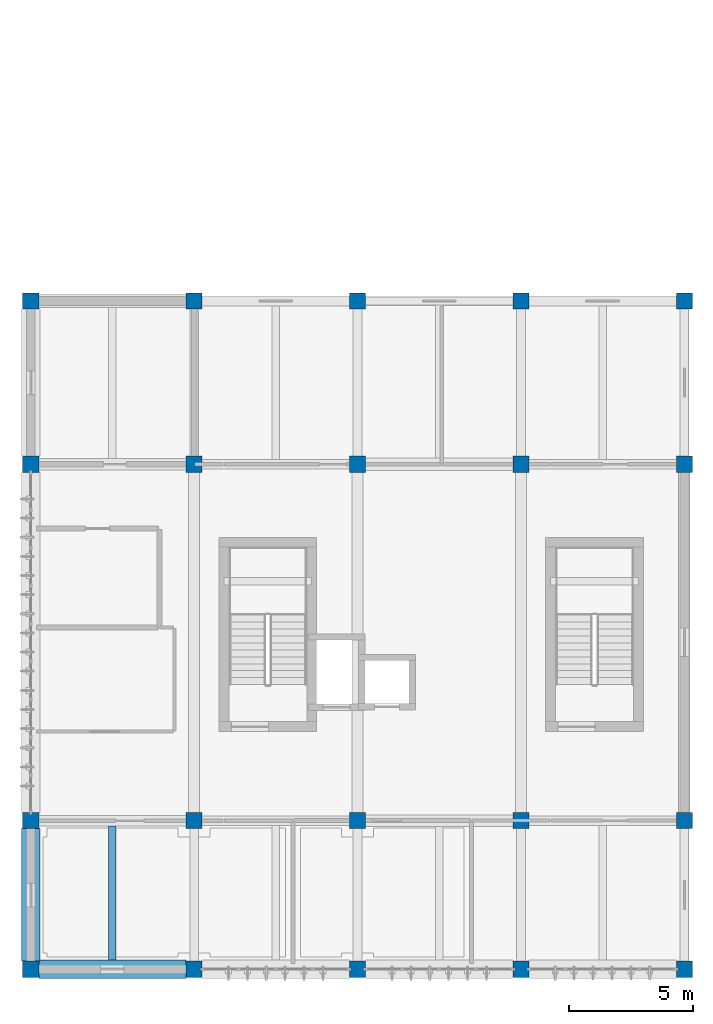
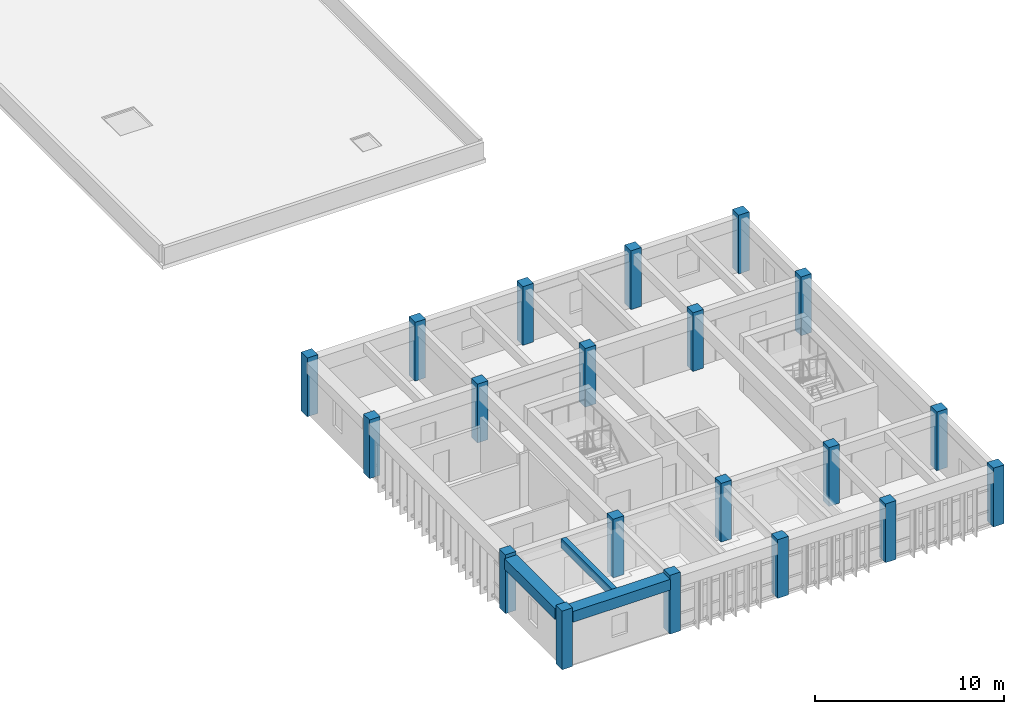
# One storey, part 1 of 9: 20 columns, 3 beams.
"""IFC4 building model written with IfcOpenShell, lengths in metres."""

import ifcopenshell
import ifcopenshell.guid

model = None  # the IFC model being written
_history = None  # IfcOwnerHistory: only IFC2X3 demands one
_inside = {}  # id of a spatial element -> (the spatial element, [elements in it])
_under = {}  # id of a project, library or spatial element -> (it, [spatial elements below it])
_declared = {}  # id of a project -> (the project, [libraries it declares])
_typed = {}  # id of a type object -> (the type object, [elements of that type])
_made_of = {}  # id of a material, layer set ... -> (it, [elements and type objects made of it])


def new_model(schema):
    """Start an empty IFC model of exactly this schema.

    Asked for "IFC4X3", IfcOpenShell would pick the latest addendum, in which some entities
    have other attributes; the version numbers below select the first issue.
    IFC2X3 requires an IfcOwnerHistory on every rooted entity: one is made here for all.
    """
    global model, _history
    if schema == "IFC4X3":
        model = ifcopenshell.file(schema_version=(4, 3, 0, 0))
    else:
        model = ifcopenshell.file(schema=schema)
    _inside.clear()
    _under.clear()
    _declared.clear()
    _typed.clear()
    _made_of.clear()
    _history = None
    if model.schema == "IFC2X3":
        org = make("IfcOrganization", Name="unknown")
        user = make(
            "IfcPersonAndOrganization",
            ThePerson=make("IfcPerson", FamilyName="unknown"),
            TheOrganization=org,
        )
        app = make(
            "IfcApplication",
            ApplicationDeveloper=org,
            Version="unknown",
            ApplicationFullName="unknown",
            ApplicationIdentifier="unknown",
        )
        _history = make(
            "IfcOwnerHistory",
            OwningUser=user,
            OwningApplication=app,
            ChangeAction="ADDED",
            CreationDate=0,
        )
    return model


def make(cls, **values):
    """One entity of the class cls with the attributes given. An attribute that is None is left unset."""
    return model.create_entity(
        cls, **{name: value for name, value in values.items() if value is not None}
    )


def rooted(cls, **values):
    """An entity with a GlobalId (a new one), such as an element, a storey or a relation."""
    return make(cls, GlobalId=ifcopenshell.guid.new(), OwnerHistory=_history, **values)


def si_unit(unit_type, name, prefix=None):
    """IfcSIUnit, for example si_unit("LENGTHUNIT", "METRE", prefix="MILLI")."""
    return make("IfcSIUnit", UnitType=unit_type, Prefix=prefix, Name=name)


def assignment(units):
    """IfcUnitAssignment: the units of a project."""
    return None if units is None else make("IfcUnitAssignment", Units=units)


def point(xyz):
    """IfcCartesianPoint."""
    return None if xyz is None else make("IfcCartesianPoint", Coordinates=xyz)


def direction(xyz):
    """IfcDirection."""
    return None if xyz is None else make("IfcDirection", DirectionRatios=xyz)


def frame(location, z_axis=None, x_axis=None):
    """IfcAxis2Placement3D, a coordinate frame: its origin and axes. An axis left out is left unset."""
    return make(
        "IfcAxis2Placement3D",
        Location=point(location),
        Axis=direction(z_axis),
        RefDirection=direction(x_axis),
    )


def frame_2d(location, x_axis=None):
    """IfcAxis2Placement2D, a coordinate frame in the plane: its origin and x axis."""
    return make(
        "IfcAxis2Placement2D", Location=point(location), RefDirection=direction(x_axis)
    )


def origin():
    """The frame at (0, 0, 0) with its axes left unset."""
    return frame((0.0, 0.0, 0.0))


def origin_2d():
    """The frame at (0, 0) in the plane with its x axis left unset."""
    return frame_2d((0.0, 0.0))


def place(relative_to, where):
    """IfcLocalPlacement: puts the frame where relative to a parent placement (None: the world)."""
    return make(
        "IfcLocalPlacement", PlacementRelTo=relative_to, RelativePlacement=where
    )


def context(
    kind, dimensions, precision=None, world=None, true_north=None, identifier=None
):
    """IfcGeometricRepresentationContext, for example the 3D "Model" context."""
    return make(
        "IfcGeometricRepresentationContext",
        ContextIdentifier=identifier,
        ContextType=kind,
        CoordinateSpaceDimension=dimensions,
        Precision=precision,
        WorldCoordinateSystem=world,
        TrueNorth=true_north,
    )


def subcontext(parent, identifier, kind, view, scale=None):
    """IfcGeometricRepresentationSubContext, for example "Body" below "Model"."""
    return make(
        "IfcGeometricRepresentationSubContext",
        ContextIdentifier=identifier,
        ContextType=kind,
        ParentContext=parent,
        TargetScale=scale,
        TargetView=view,
    )


def project(units=None, contexts=None):
    """IfcProject with its units and contexts."""
    return rooted(
        "IfcProject",
        Name="project",
        RepresentationContexts=contexts,
        UnitsInContext=assignment(units),
    )


def spatial(cls, under=None, at=None, **own):
    """A site, building, storey or space (cls), placed at a placement, below another one or the project."""
    s = rooted(cls, ObjectPlacement=at, **own)
    if under is not None:
        _under.setdefault(under.id(), (under, []))[1].append(s)
    return s


def profile(cls, at=None, kind="AREA", **sizes):
    """A parametric profile (cls). Its sizes go by their IFC names, for example OverallWidth=200.0."""
    return make(cls, ProfileType=kind, Position=at, **sizes)


def rectangle(**sizes):
    """IfcRectangleProfileDef."""
    return profile("IfcRectangleProfileDef", **sizes)


def extrude(swept, where, along, depth):
    """IfcExtrudedAreaSolid: the profile swept, set in the frame where, extruded along a direction by depth."""
    return make(
        "IfcExtrudedAreaSolid",
        SweptArea=swept,
        Position=where,
        ExtrudedDirection=direction(along),
        Depth=depth,
    )


def shape(context_of_items, identifier, shape_type, items):
    """IfcShapeRepresentation: the items that make up one representation, for example the "Body"."""
    return make(
        "IfcShapeRepresentation",
        ContextOfItems=context_of_items,
        RepresentationIdentifier=identifier,
        RepresentationType=shape_type,
        Items=items,
    )


def material(Name=None, Category=None):
    """IfcMaterial."""
    return make("IfcMaterial", Name=Name, Category=Category)


def material_profile(
    of_material, cross_section, Name=None, Category=None, Priority=None
):
    """IfcMaterialProfile: a cross section and its material."""
    return make(
        "IfcMaterialProfile",
        Name=Name,
        Material=of_material,
        Profile=cross_section,
        Priority=Priority,
        Category=Category,
    )


def profile_set(profiles, Name=None, composite=None):
    """IfcMaterialProfileSet."""
    return make(
        "IfcMaterialProfileSet",
        Name=Name,
        MaterialProfiles=profiles,
        CompositeProfile=composite,
    )


def made_of(thing, what):
    """Note that an element or type object is made of a material, layer set ...; save() writes the relation."""
    if what is not None:
        _made_of.setdefault(what.id(), (what, []))[1].append(thing)
    return thing


def type_object(cls, material=None, **own):
    """A type object (cls), such as IfcWallType, which elements share."""
    return made_of(rooted(cls, **own), material)


def element(
    cls,
    number,
    at=None,
    inside=None,
    cuts=None,
    type_object=None,
    material=None,
    context=None,
    identifier="Body",
    shape_type=None,
    held_by="IfcProductDefinitionShape",
    body=None,
    shapes=None,
    **own,
):
    """One element of the class cls, such as IfcWall. Its Tag is "e" and its number.

    at: its placement. inside: the storey or other place that contains it. cuts: it is an
    opening in that element (IfcRelVoidsElement). A single representation is given by context,
    identifier, shape_type and body (its items); several are given by shapes. held_by: the class
    of the entity that holds the representations. save() writes the other relations.
    """
    e = rooted(cls, Tag="e%d" % number, ObjectPlacement=at, **own)
    if body is not None:
        shapes = [shape(context, identifier, shape_type, body)]
    if shapes is not None:
        e.Representation = make(held_by, Representations=shapes)
    if inside is not None:
        _inside.setdefault(inside.id(), (inside, []))[1].append(e)
    if cuts is not None:
        rooted(
            "IfcRelVoidsElement", RelatingBuildingElement=cuts, RelatedOpeningElement=e
        )
    if type_object is not None:
        _typed.setdefault(type_object.id(), (type_object, []))[1].append(e)
    return made_of(e, material)


def aggregate(whole, parts):
    """IfcRelAggregates: a whole, such as a stair, and the parts it consists of."""
    return rooted("IfcRelAggregates", RelatingObject=whole, RelatedObjects=parts)


def save(model, path):
    """Write the relations noted so far, then the file.

    IfcRelAggregates (storeys below a building ...), IfcRelContainedInSpatialStructure (elements
    in a storey), IfcRelDefinesByType, IfcRelAssociatesMaterial and IfcRelDeclares: one each for
    every whole, place, type object, material and project.
    """
    for whole, parts in _under.values():
        aggregate(whole, parts)
    for where, things in _inside.values():
        rooted(
            "IfcRelContainedInSpatialStructure",
            RelatedElements=things,
            RelatingStructure=where,
        )
    for kind, things in _typed.values():
        rooted("IfcRelDefinesByType", RelatedObjects=things, RelatingType=kind)
    for what, things in _made_of.values():
        rooted("IfcRelAssociatesMaterial", RelatedObjects=things, RelatingMaterial=what)
    for by, libraries in _declared.values():
        rooted("IfcRelDeclares", RelatingContext=by, RelatedDefinitions=libraries)
    model.write(path)


model = new_model("IFC4")

# Units and contexts
model_context = context("Model", 3, precision=1e-05, world=origin(), true_north=direction((0.0, 1.0)))
body_context = subcontext(model_context, "Body", "Model", "MODEL_VIEW")
ifc_project = project(units=[si_unit("LENGTHUNIT", "METRE"), si_unit("AREAUNIT", "SQUARE_METRE"), si_unit("VOLUMEUNIT", "CUBIC_METRE"), si_unit("PLANEANGLEUNIT", "RADIAN"), si_unit("MASSUNIT", "GRAM", prefix="KILO")], contexts=[model_context])

# Site, building, storey
site_placement = place(None, origin())
site = spatial("IfcSite", under=ifc_project, at=site_placement, CompositionType="ELEMENT")
building_placement = place(site_placement, origin())
building = spatial("IfcBuilding", under=site, at=building_placement, Name="Miralva Faculty of Natural Sciences", CompositionType="ELEMENT")
storey_placement = place(building_placement, frame((0.0, 0.0, 33.0)))
storey = spatial("IfcBuildingStorey", under=building, at=storey_placement, Name="L07", CompositionType="ELEMENT", Elevation=33.0)

# Columns
ifc_material = material(Name="Concrete C40/50", Category="concrete")
ifc_material_profile_1 = material_profile(ifc_material, rectangle(XDim=0.64990234375, YDim=0.64990234375, at=origin_2d()), Name="RC 650x650")
ifc_profile_set_1 = profile_set([ifc_material_profile_1], Name="Concrete C40/50")
column_type = type_object("IfcColumnType", Name="COL-C08", PredefinedType="COLUMN", material=ifc_profile_set_1)
for number, where, z_axis, x_axis, name in (
    (1, (3.0, 3.0, 0.0), (0.0, 0.0, 1.0), (1.0, 0.0, 0.0), "Column CS-V5-1A L07"),
    (2, (3.0, 9.0, 0.0), (0.0, 0.0, 1.0), (1.0, 0.0, 0.0), "Column CS-V5-1B L07"),
    (3, (3.0, 23.39990234375, 0.0), (0.0, 0.0, 1.0), (1.0, 0.0, 0.0), "Column CS-V5-1C L07"),
    (4, (3.0, 30.0, 0.0), (0.0, 0.0, 1.0), (1.0, 0.0, 0.0), "Column CS-V5-1D L07"),
    (5, (9.60009765625, 3.0, 0.0), (0.0, 0.0, 1.0), (1.0, 0.0, 0.0), "Column CS-V5-2A L07"),
    (6, (9.60009765625, 9.0, 0.0), (0.0, 0.0, 1.0), (1.0, 0.0, 0.0), "Column CS-V5-2B L07"),
    (7, (9.60009765625, 23.39990234375, 0.0), (0.0, 0.0, 1.0), (1.0, 0.0, 0.0), "Column CS-V5-2C L07"),
    (8, (9.60009765625, 30.0, 0.0), (0.0, 0.0, 1.0), (1.0, 0.0, 0.0), "Column CS-V5-2D L07"),
    (9, (16.199951171875, 3.0, 0.0), (0.0, 0.0, 1.0), (1.0, 0.0, 0.0), "Column CS-V5-3A L07"),
    (10, (16.199951171875, 9.0, 0.0), (0.0, 0.0, 1.0), (1.0, 0.0, 0.0), "Column CS-V5-3B L07"),
    (11, (16.199951171875, 23.39990234375, 0.0), (0.0, 0.0, 1.0), (1.0, 0.0, 0.0), "Column CS-V5-3C L07"),
    (12, (16.199951171875, 30.0, 0.0), (0.0, 0.0, 1.0), (1.0, 0.0, 0.0), "Column CS-V5-3D L07"),
    (13, (22.800048828125, 3.0, 0.0), (0.0, 0.0, 1.0), (1.0, 0.0, 0.0), "Column CS-V5-4A L07"),
    (14, (22.800048828125, 9.0, 0.0), (0.0, 0.0, 1.0), (1.0, 0.0, 0.0), "Column CS-V5-4B L07"),
    (15, (22.800048828125, 23.39990234375, 0.0), (0.0, 0.0, 1.0), (1.0, 0.0, 0.0), "Column CS-V5-4C L07"),
    (16, (22.800048828125, 30.0, 0.0), (0.0, 0.0, 1.0), (1.0, 0.0, 0.0), "Column CS-V5-4D L07"),
    (17, (29.39990234375, 3.0, 0.0), (0.0, 0.0, 1.0), (1.0, 0.0, 0.0), "Column CS-V5-5A L07"),
    (18, (29.39990234375, 9.0, 0.0), (0.0, 0.0, 1.0), (1.0, 0.0, 0.0), "Column CS-V5-5B L07"),
    (19, (29.39990234375, 23.39990234375, 0.0), (0.0, 0.0, 1.0), (1.0, 0.0, 0.0), "Column CS-V5-5C L07"),
    (20, (29.39990234375, 30.0, 0.0), (0.0, 0.0, 1.0), (1.0, 0.0, 0.0), "Column CS-V5-5D L07"),
):
    element("IfcColumn", number, at=place(storey_placement, frame(where, z_axis=z_axis, x_axis=x_axis)), inside=storey, type_object=column_type, Name=name, PredefinedType="COLUMN", context=body_context, shape_type="SweptSolid", body=[
        extrude(rectangle(XDim=0.64990234375, YDim=0.64990234375, at=origin_2d()), origin(), (0.0, 0.0, 1.0), 3.800048828125),
    ])

# Beams
ifc_material_profile_2 = material_profile(ifc_material, rectangle(XDim=0.300048828125, YDim=0.60009765625, at=origin_2d()), Name="RC 300x600")
ifc_profile_set_2 = profile_set([ifc_material_profile_2], Name="Concrete C40/50")
beam_type_1 = type_object("IfcBeamType", Name="BM-J01", PredefinedType="JOIST", material=ifc_profile_set_2)
beam_1_placement = place(storey_placement, frame((6.300048828125, 3.375, 3.280029296875), z_axis=(0.0, 1.0, 0.0), x_axis=(-1.0, 0.0, 0.0)))
element("IfcBeam", 21, at=beam_1_placement, inside=storey, type_object=beam_type_1, Name="Floor joist L07-1", PredefinedType="JOIST", context=body_context, shape_type="SweptSolid", body=[
    extrude(rectangle(XDim=0.300048828125, YDim=0.60009765625, at=origin_2d()), origin(), (0.0, 0.0, 1.0), 5.405029296875),
])
ifc_material_profile_3 = material_profile(ifc_material, rectangle(XDim=0.75, YDim=0.699951171875, at=origin_2d()), Name="RC 750x700")
ifc_profile_set_3 = profile_set([ifc_material_profile_3], Name="Concrete C40/50")
beam_type_2 = type_object("IfcBeamType", Name="BM-SP01", PredefinedType="SPANDREL", material=ifc_profile_set_3)
beam_2_placement = place(storey_placement, frame((3.324951171875, 3.0, 3.22998046875), z_axis=(1.0, 0.0, 0.0), x_axis=(0.0, 1.0, 0.0)))
element("IfcBeam", 22, at=beam_2_placement, inside=storey, type_object=beam_type_2, Name="Girder EW L07-1", PredefinedType="SPANDREL", context=body_context, shape_type="SweptSolid", body=[
    extrude(rectangle(XDim=0.75, YDim=0.699951171875, at=origin_2d()), origin(), (0.0, 0.0, 1.0), 5.949951171875),
])
beam_3_placement = place(storey_placement, frame((3.0, 3.324951171875, 3.22998046875), z_axis=(0.0, 1.0, 0.0), x_axis=(-1.0, 0.0, 0.0)))
element("IfcBeam", 23, at=beam_3_placement, inside=storey, type_object=beam_type_2, Name="Girder NS L07-17", PredefinedType="SPANDREL", context=body_context, shape_type="SweptSolid", body=[
    extrude(rectangle(XDim=0.75, YDim=0.699951171875, at=origin_2d()), origin(), (0.0, 0.0, 1.0), 5.35009765625),
])

save(model, "model.ifc")
